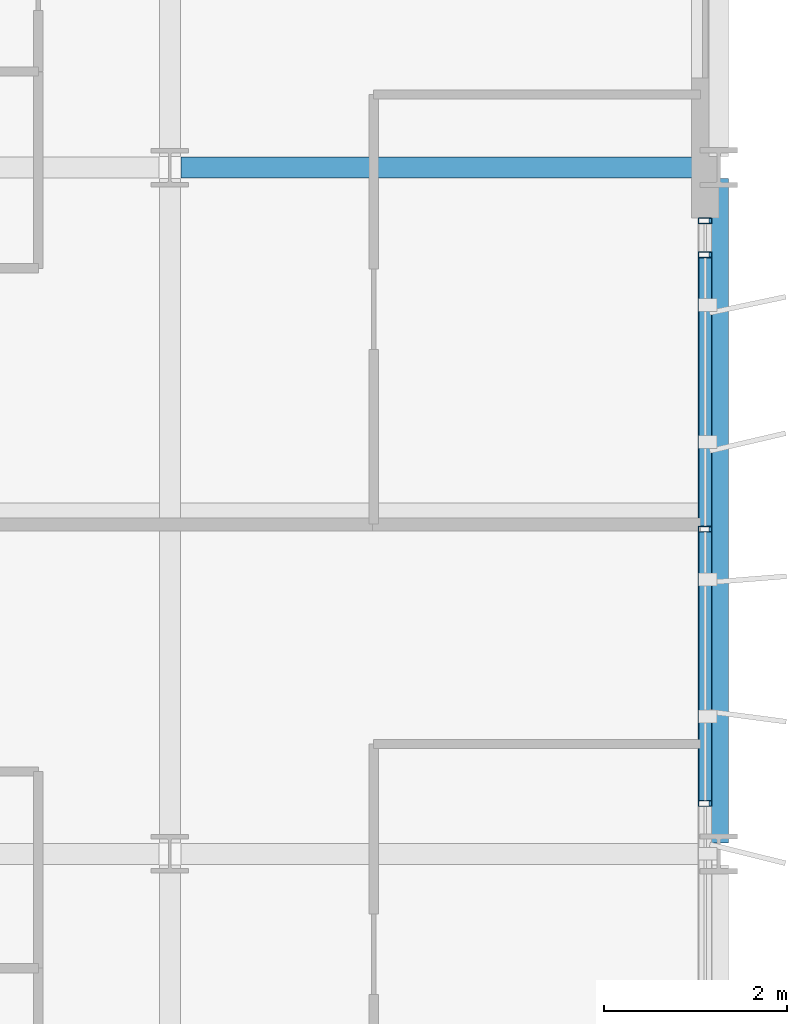
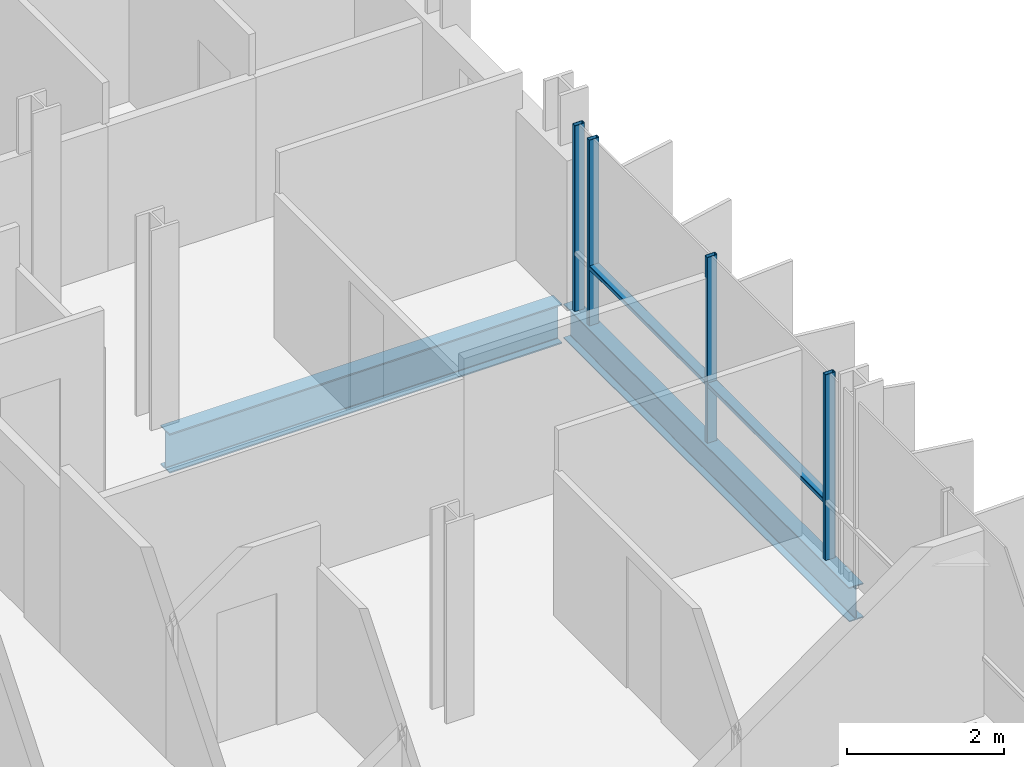
# One storey, part 19 of 39: 6 members, 2 beams, 1 element without a shape of its own.
"""IFC4 building model written with IfcOpenShell, lengths in metres."""

from ifc_helpers import new_model, si_unit, direction, frame, origin, origin_2d, place, context, subcontext, project, spatial, hollow_rectangle, i_section, extrude, material, layer, layer_set, material_profile, profile_set, type_object, element, aggregate, save


model = new_model("IFC4")

# Units and contexts
model_context = context("Model", 3, precision=1e-05, world=origin(), true_north=direction((0.0, 1.0)))
body_context = subcontext(model_context, "Body", "Model", "MODEL_VIEW")
ifc_project = project(units=[si_unit("LENGTHUNIT", "METRE"), si_unit("AREAUNIT", "SQUARE_METRE"), si_unit("VOLUMEUNIT", "CUBIC_METRE"), si_unit("PLANEANGLEUNIT", "RADIAN"), si_unit("MASSUNIT", "GRAM", prefix="KILO")], contexts=[model_context])

# Site, building, storey
site_placement = place(None, origin())
site = spatial("IfcSite", under=ifc_project, at=site_placement, CompositionType="ELEMENT")
building_placement = place(site_placement, origin())
building = spatial("IfcBuilding", under=site, at=building_placement, Name="Brevholm Reach", CompositionType="ELEMENT")
storey_placement = place(building_placement, frame((0.0, 0.0, 109.699951171875)))
storey = spatial("IfcBuildingStorey", under=building, at=storey_placement, Name="L32", CompositionType="ELEMENT", Elevation=109.699951171875)

# Beams
ifc_material_1 = material(Name="Structural Steel S355J2", Category="steel")
ifc_material_profile_1 = material_profile(ifc_material_1, i_section(OverallWidth=0.209228515625, OverallDepth=0.533203125, WebThickness=0.010009765625, FlangeThickness=0.015625, FilletRadius=0.0126953125, at=origin_2d()), Name="UKB 533x210x92")
ifc_profile_set_1 = profile_set([ifc_material_profile_1], Name="Structural Steel S355J2")
beam_type_1 = type_object("IfcBeamType", Name="BM-SP533", PredefinedType="SPANDREL", material=ifc_profile_set_1)
beam_1_placement = place(storey_placement, frame((60.0, 16.1201171875, -0.486572265625), z_axis=(0.0, 1.0, 0.0), x_axis=(-1.0, 0.0, 0.0)))
element("IfcBeam", 1, at=beam_1_placement, inside=storey, type_object=beam_type_1, Name="L32 SP-02 Framing Beam", PredefinedType="SPANDREL", context=body_context, shape_type="SweptSolid", body=[
    extrude(i_section(OverallWidth=0.209228515625, OverallDepth=0.533203125, WebThickness=0.010009765625, FlangeThickness=0.015625, FilletRadius=0.0126953125, at=origin_2d()), origin(), (0.0, 0.0, 1.0), 7.259765625),
])
ifc_material_2 = material(Name="Structural Steel S355J2", Category="steel")
ifc_material_profile_2 = material_profile(ifc_material_2, i_section(OverallWidth=0.22900390625, OverallDepth=0.6123046875, WebThickness=0.011962890625, FlangeThickness=0.01953125, FilletRadius=0.0126953125, at=origin_2d()), Name="UKB 610x229x125")
ifc_profile_set_2 = profile_set([ifc_material_profile_2], Name="Structural Steel S355J2")
beam_type_2 = type_object("IfcBeamType", Name="BM-SP610", PredefinedType="SPANDREL", material=ifc_profile_set_2)
beam_2_placement = place(storey_placement, frame((54.1201171875, 23.5, -0.526123046875), z_axis=(1.0, 0.0, 0.0), x_axis=(0.0, 1.0, 0.0)))
element("IfcBeam", 2, at=beam_2_placement, inside=storey, type_object=beam_type_2, Name="L32 SP-01 Framing Beam", PredefinedType="SPANDREL", context=body_context, shape_type="SweptSolid", body=[
    extrude(i_section(OverallWidth=0.22900390625, OverallDepth=0.6123046875, WebThickness=0.011962890625, FlangeThickness=0.01953125, FilletRadius=0.0126953125, at=origin_2d()), origin(), (0.0, 0.0, 1.0), 5.759765625),
])

# Curtain wall, members
ifc_material_3 = material(Name="Dark Anodised Aluminium 6063-T6 and Solar-Control Glass", Category="aluminium")
ifc_layer = layer(ifc_material_3, 0.14990234375)
ifc_layer_set = layer_set([ifc_layer], Name="Dark Anodised Aluminium 6063-T6 and Solar-Control Glass")
curtain_wall_type = type_object("IfcCurtainWallType", Name="CW-01", PredefinedType="NOTDEFINED", material=ifc_layer_set)
curtain_wall_placement = place(storey_placement, origin())
curtain_wall = element("IfcCurtainWall", 3, at=curtain_wall_placement, inside=storey, type_object=curtain_wall_type, Name="L32 Curtain Wall CW-01", PredefinedType="NOTDEFINED")
ifc_material_4 = material(Name="Dark Anodised Aluminium 6063-T6", Category="aluminium")
ifc_material_profile_3 = material_profile(ifc_material_4, hollow_rectangle(XDim=0.06494140625, YDim=0.14990234375, WallThickness=0.0048828125, InnerFilletRadius=0.0048828125, OuterFilletRadius=0.010009765625, at=origin_2d()), Name="RHS 150x65x5")
ifc_profile_set_3 = profile_set([ifc_material_profile_3], Name="Dark Anodised Aluminium 6063-T6")
member_type_1 = type_object("IfcMemberType", Name="CWM-150", PredefinedType="MULLION", material=ifc_profile_set_3)
member_1_placement = place(storey_placement, frame((59.85009765625, 16.550048828125, 0.0), z_axis=(0.0, 0.0, 1.0), x_axis=(0.0, 1.0, 0.0)))
member_1 = element("IfcMember", 4, at=member_1_placement, type_object=member_type_1, Name="CM-150 Mullion 3", PredefinedType="MULLION", context=body_context, shape_type="SweptSolid", body=[
    extrude(hollow_rectangle(XDim=0.06494140625, YDim=0.14990234375, WallThickness=0.0048828125, InnerFilletRadius=0.0048828125, OuterFilletRadius=0.010009765625, at=origin_2d()), origin(), (0.0, 0.0, 1.0), 2.880126953125),
])
member_2_placement = place(storey_placement, frame((59.85009765625, 19.550048828125, 0.0), z_axis=(0.0, 0.0, 1.0), x_axis=(0.0, 1.0, 0.0)))
member_2 = element("IfcMember", 5, at=member_2_placement, type_object=member_type_1, Name="CM-150 Mullion 4", PredefinedType="MULLION", context=body_context, shape_type="SweptSolid", body=[
    extrude(hollow_rectangle(XDim=0.06494140625, YDim=0.14990234375, WallThickness=0.0048828125, InnerFilletRadius=0.0048828125, OuterFilletRadius=0.010009765625, at=origin_2d()), origin(), (0.0, 0.0, 1.0), 2.880126953125),
])
member_3_placement = place(storey_placement, frame((59.85009765625, 22.550048828125, 0.0), z_axis=(0.0, 0.0, 1.0), x_axis=(0.0, 1.0, 0.0)))
member_3 = element("IfcMember", 6, at=member_3_placement, type_object=member_type_1, Name="CM-150 Mullion 5", PredefinedType="MULLION", context=body_context, shape_type="SweptSolid", body=[
    extrude(hollow_rectangle(XDim=0.06494140625, YDim=0.14990234375, WallThickness=0.0048828125, InnerFilletRadius=0.0048828125, OuterFilletRadius=0.010009765625, at=origin_2d()), origin(), (0.0, 0.0, 1.0), 2.880126953125),
])
member_4_placement = place(storey_placement, frame((59.85009765625, 22.91748046875, 0.0), z_axis=(0.0, 0.0, 1.0), x_axis=(0.0, 1.0, 0.0)))
member_4 = element("IfcMember", 7, at=member_4_placement, type_object=member_type_1, Name="CM-150 Mullion 6", PredefinedType="MULLION", context=body_context, shape_type="SweptSolid", body=[
    extrude(hollow_rectangle(XDim=0.06494140625, YDim=0.14990234375, WallThickness=0.0048828125, InnerFilletRadius=0.0048828125, OuterFilletRadius=0.010009765625, at=origin_2d()), origin(), (0.0, 0.0, 1.0), 2.880126953125),
])
ifc_material_5 = material(Name="Dark Anodised Aluminium 6063-T6", Category="aluminium")
ifc_material_profile_4 = material_profile(ifc_material_5, hollow_rectangle(XDim=0.06494140625, YDim=0.14990234375, WallThickness=0.0048828125, InnerFilletRadius=0.0048828125, OuterFilletRadius=0.010009765625, at=origin_2d()), Name="RHS 150x65x5")
ifc_profile_set_4 = profile_set([ifc_material_profile_4], Name="Dark Anodised Aluminium 6063-T6")
member_type_2 = type_object("IfcMemberType", Name="CWT-150", PredefinedType="NOTDEFINED", material=ifc_profile_set_4)
member_5_placement = place(storey_placement, frame((59.85009765625, 16.58251953125, 0.900146484375), z_axis=(0.0, 1.0, 0.0), x_axis=(0.0, 0.0, 1.0)))
member_5 = element("IfcMember", 8, at=member_5_placement, type_object=member_type_2, Name="CT-150 Transom 3.1", ObjectType="TRANSOM", PredefinedType="USERDEFINED", context=body_context, shape_type="SweptSolid", body=[
    extrude(hollow_rectangle(XDim=0.06494140625, YDim=0.14990234375, WallThickness=0.0048828125, InnerFilletRadius=0.0048828125, OuterFilletRadius=0.010009765625, at=origin_2d()), origin(), (0.0, 0.0, 1.0), 2.93505859375),
])
member_6_placement = place(storey_placement, frame((59.85009765625, 19.58251953125, 0.900146484375), z_axis=(0.0, 1.0, 0.0), x_axis=(0.0, 0.0, 1.0)))
member_6 = element("IfcMember", 9, at=member_6_placement, type_object=member_type_2, Name="CT-150 Transom 4.1", ObjectType="TRANSOM", PredefinedType="USERDEFINED", context=body_context, shape_type="SweptSolid", body=[
    extrude(hollow_rectangle(XDim=0.06494140625, YDim=0.14990234375, WallThickness=0.0048828125, InnerFilletRadius=0.0048828125, OuterFilletRadius=0.010009765625, at=origin_2d()), origin(), (0.0, 0.0, 1.0), 2.93505859375),
])
aggregate(curtain_wall, [member_1, member_2, member_3, member_4, member_5, member_6])

save(model, "model.ifc")
